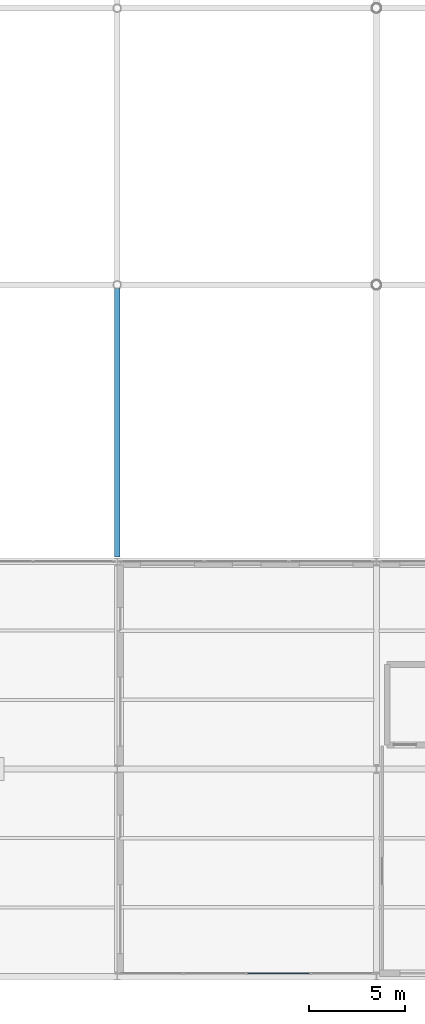
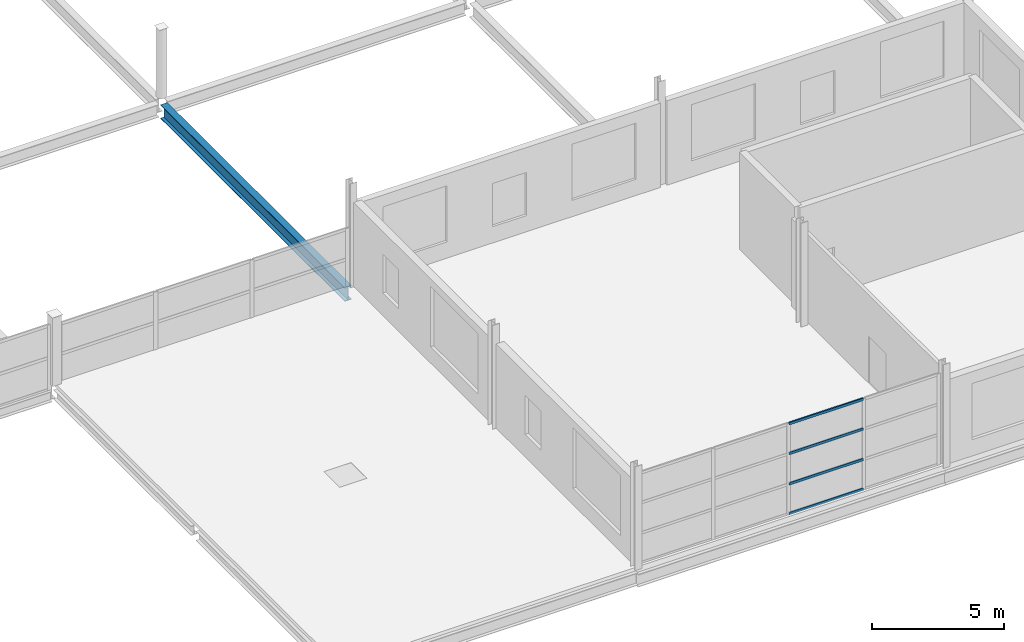
# One storey, part 88 of 134: 4 members, 1 beam, 1 element without a shape of its own.
"""IFC4 building model written with IfcOpenShell, lengths in metres."""

from ifc_helpers import new_model, si_unit, direction, frame, origin, origin_2d, place, context, subcontext, project, spatial, hollow_rectangle, i_section, extrude, material, layer, layer_set, material_profile, profile_set, type_object, element, aggregate, save


model = new_model("IFC4")

# Units and contexts
model_context = context("Model", 3, precision=1e-05, world=origin(), true_north=direction((0.0, 1.0)))
body_context = subcontext(model_context, "Body", "Model", "MODEL_VIEW")
ifc_project = project(units=[si_unit("LENGTHUNIT", "METRE"), si_unit("AREAUNIT", "SQUARE_METRE"), si_unit("VOLUMEUNIT", "CUBIC_METRE"), si_unit("PLANEANGLEUNIT", "RADIAN"), si_unit("MASSUNIT", "GRAM", prefix="KILO")], contexts=[model_context])

# Site, building, storey
site_placement = place(None, origin())
site = spatial("IfcSite", under=ifc_project, at=site_placement, CompositionType="ELEMENT")
building_placement = place(site_placement, origin())
building = spatial("IfcBuilding", under=site, at=building_placement, Name="Tamarisk Ironworks Central Station", CompositionType="ELEMENT")
storey_placement = place(building_placement, frame((0.0, 0.0, 12.60009765625)))
storey = spatial("IfcBuildingStorey", under=building, at=storey_placement, Name="L02", CompositionType="ELEMENT", Elevation=12.60009765625)

# Beam
ifc_material_1 = material(Name="Structural steel S355J2", Category="steel")
ifc_material_profile_1 = material_profile(ifc_material_1, i_section(OverallWidth=0.300048828125, OverallDepth=0.639892578125, WebThickness=0.013427734375, FlangeThickness=0.02587890625, at=origin_2d()), Name="HEA 650")
ifc_profile_set_1 = profile_set([ifc_material_profile_1], Name="Structural steel S355J2")
beam_type = type_object("IfcBeamType", Name="BM-G02", PredefinedType="BEAM", material=ifc_profile_set_1)
beam_placement = place(storey_placement, frame((153.0, 21.837890625, -0.570068359375), z_axis=(0.0, 1.0, 0.0), x_axis=(-1.0, 0.0, 0.0)))
element("IfcBeam", 1, at=beam_placement, inside=storey, type_object=beam_type, Name="L02 primary girder Y-0514", PredefinedType="BEAM", context=body_context, shape_type="SweptSolid", body=[
    extrude(i_section(OverallWidth=0.300048828125, OverallDepth=0.639892578125, WebThickness=0.013427734375, FlangeThickness=0.02587890625, at=origin_2d()), origin(), (0.0, 0.0, 1.0), 13.970947265625),
])

# Curtain wall, members
ifc_material_2 = material(Name="Anodized aluminium alloy 6063-T6", Category="aluminium")
ifc_layer = layer(ifc_material_2, 0.179931640625)
ifc_layer_set = layer_set([ifc_layer], Name="Anodized aluminium alloy 6063-T6")
curtain_wall_type = type_object("IfcCurtainWallType", Name="CW-17", PredefinedType="USERDEFINED", material=ifc_layer_set)
curtain_wall_placement = place(storey_placement, origin())
curtain_wall = element("IfcCurtainWall", 2, at=curtain_wall_placement, inside=storey, type_object=curtain_wall_type, Name="South-east annex L02 curtain wall 153", ObjectType="GLAZED CURTAIN WALL", PredefinedType="USERDEFINED")
ifc_material_profile_2 = material_profile(ifc_material_2, hollow_rectangle(XDim=0.06005859375, YDim=0.114990234375, WallThickness=0.00341796875, at=origin_2d()), Name="ALUM 115x60")
ifc_profile_set_2 = profile_set([ifc_material_profile_2], Name="Anodized aluminium alloy 6063-T6")
member_type = type_object("IfcMemberType", Name="CWT-03", PredefinedType="USERDEFINED", material=ifc_profile_set_2)
member_1_placement = place(storey_placement, frame((159.77587890625, 0.14990234375, 0.02978515625), z_axis=(1.0, 0.0, 0.0), x_axis=(0.0, 1.0, 0.0)))
member_1 = element("IfcMember", 3, at=member_1_placement, type_object=member_type, Name="CW17 transom 3.1", ObjectType="TRANSOM", PredefinedType="USERDEFINED", context=body_context, shape_type="SweptSolid", body=[
    extrude(hollow_rectangle(XDim=0.06005859375, YDim=0.114990234375, WallThickness=0.00341796875, at=origin_2d()), origin(), (0.0, 0.0, 1.0), 3.2490234375),
])
member_2_placement = place(storey_placement, frame((159.77587890625, 0.14990234375, 1.406494140625), z_axis=(1.0, 0.0, 0.0), x_axis=(0.0, 1.0, 0.0)))
member_2 = element("IfcMember", 4, at=member_2_placement, type_object=member_type, Name="CW17 transom 3.2", ObjectType="TRANSOM", PredefinedType="USERDEFINED", context=body_context, shape_type="SweptSolid", body=[
    extrude(hollow_rectangle(XDim=0.06005859375, YDim=0.114990234375, WallThickness=0.00341796875, at=origin_2d()), origin(), (0.0, 0.0, 1.0), 3.2490234375),
])
member_3_placement = place(storey_placement, frame((159.77587890625, 0.14990234375, 2.813232421875), z_axis=(1.0, 0.0, 0.0), x_axis=(0.0, 1.0, 0.0)))
member_3 = element("IfcMember", 5, at=member_3_placement, type_object=member_type, Name="CW17 transom 3.3", ObjectType="TRANSOM", PredefinedType="USERDEFINED", context=body_context, shape_type="SweptSolid", body=[
    extrude(hollow_rectangle(XDim=0.06005859375, YDim=0.114990234375, WallThickness=0.00341796875, at=origin_2d()), origin(), (0.0, 0.0, 1.0), 3.2490234375),
])
member_4_placement = place(storey_placement, frame((159.77587890625, 0.14990234375, 4.18994140625), z_axis=(1.0, 0.0, 0.0), x_axis=(0.0, 1.0, 0.0)))
member_4 = element("IfcMember", 6, at=member_4_placement, type_object=member_type, Name="CW17 transom 3.4", ObjectType="TRANSOM", PredefinedType="USERDEFINED", context=body_context, shape_type="SweptSolid", body=[
    extrude(hollow_rectangle(XDim=0.06005859375, YDim=0.114990234375, WallThickness=0.00341796875, at=origin_2d()), origin(), (0.0, 0.0, 1.0), 3.2490234375),
])
aggregate(curtain_wall, [member_1, member_2, member_3, member_4])

save(model, "model.ifc")
